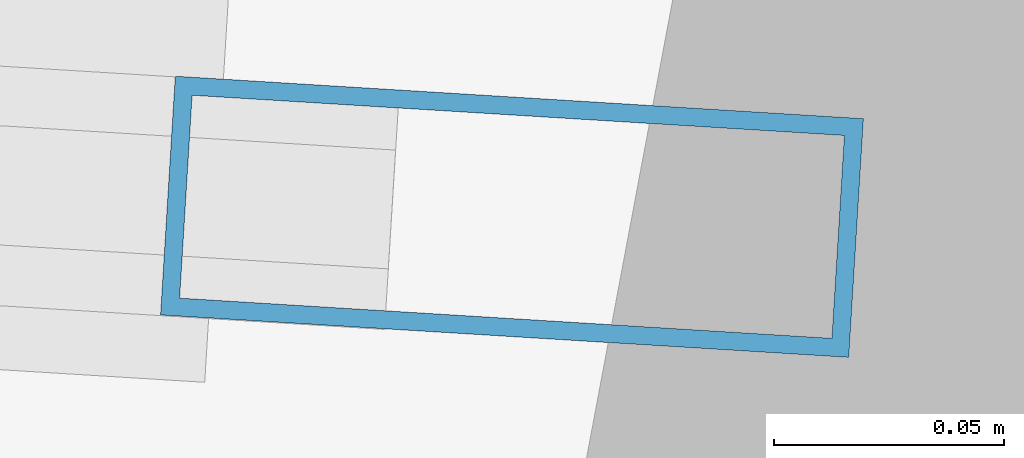
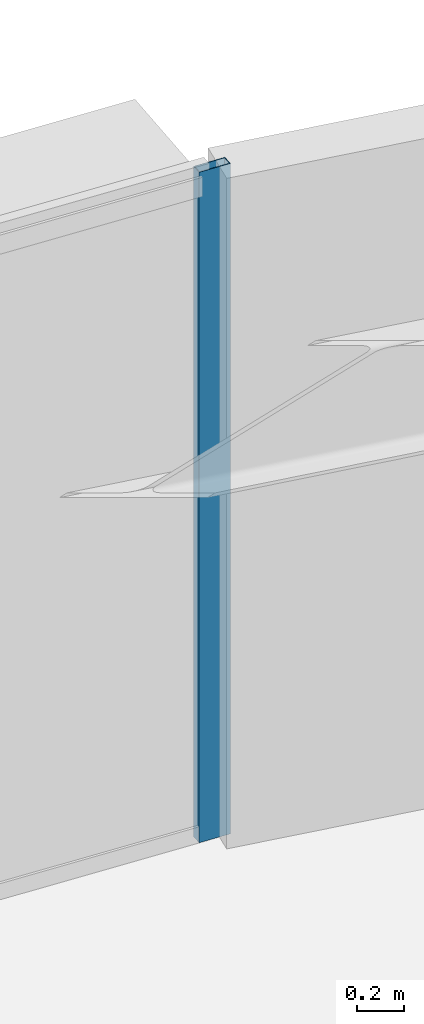
# One storey, part 6 of 21: 1 member, 1 element without a shape of its own.
"""IFC4 building model written with IfcOpenShell, lengths in metres."""

from ifc_helpers import new_model, si_unit, direction, frame, origin, origin_2d, place, context, subcontext, project, spatial, hollow_rectangle, extrude, source, transform, mapped, material, layer, layer_set, material_profile, profile_set, type_object, element, aggregate, save


model = new_model("IFC4")

# Units and contexts
model_context = context("Model", 3, precision=1e-05, world=origin(), true_north=direction((0.0, 1.0)))
body_context = subcontext(model_context, "Body", "Model", "MODEL_VIEW")
ifc_project = project(units=[si_unit("LENGTHUNIT", "METRE"), si_unit("AREAUNIT", "SQUARE_METRE"), si_unit("VOLUMEUNIT", "CUBIC_METRE"), si_unit("PLANEANGLEUNIT", "RADIAN"), si_unit("MASSUNIT", "GRAM", prefix="KILO")], contexts=[model_context])

# Site, building, storey
site_placement = place(None, origin())
site = spatial("IfcSite", under=ifc_project, at=site_placement, CompositionType="ELEMENT")
building_placement = place(site_placement, origin())
building = spatial("IfcBuilding", under=site, at=building_placement, Name="Linh Dai School and Residence Tower", CompositionType="ELEMENT")
storey_placement = place(building_placement, frame((0.0, 0.0, 115.949951171875)))
storey = spatial("IfcBuildingStorey", under=building, at=storey_placement, Name="L27", CompositionType="ELEMENT", Elevation=115.949951171875)

# Curtain wall, member
ifc_material_1 = material(Name="Aluminium Anodised Curtain Wall", Category="aluminium")
ifc_layer = layer(ifc_material_1, 0.14990234375)
ifc_layer_set = layer_set([ifc_layer], Name="Aluminium Anodised Curtain Wall")
curtain_wall_type = type_object("IfcCurtainWallType", Name="CW-SYS-4", PredefinedType="USERDEFINED", material=ifc_layer_set)
curtain_wall_placement = place(storey_placement, origin())
curtain_wall = element("IfcCurtainWall", 1, at=curtain_wall_placement, inside=storey, type_object=curtain_wall_type, Name="L27 CW4 Curtain Wall 10", ObjectType="RIBBON CURTAIN WALL", PredefinedType="USERDEFINED")
ifc_material_2 = material(Name="Aluminium Alloy 6063-T6", Category="aluminium")
ifc_material_profile = material_profile(ifc_material_2, hollow_rectangle(XDim=0.052001953125, YDim=0.14990234375, WallThickness=0.00390625, at=origin_2d()), Name="RHS 150x52x4")
ifc_profile_set = profile_set([ifc_material_profile], Name="Aluminium Alloy 6063-T6")
member_type = type_object("IfcMemberType", Name="CW-SYS-4-MUL", PredefinedType="MULLION", material=ifc_profile_set)
shared_shape = source(origin(), body_context, "Body", "SweptSolid", [
    extrude(hollow_rectangle(XDim=0.052001953125, YDim=0.14990234375, WallThickness=0.00390625, at=origin_2d()), origin(), (0.0, 0.0, 1.0), 3.5),
])
member_placement = place(storey_placement, frame((40.479736328125, 49.22900390625, 0.0), z_axis=(0.0, 0.0, 1.0), x_axis=(0.061509255091, 0.998106513123, 0.0)))
member = element("IfcMember", 2, at=member_placement, type_object=member_type, Name="CW4 mullion 3", PredefinedType="MULLION", context=body_context, shape_type="MappedRepresentation", body=[
    mapped(shared_shape, transform((0.0, 0.0, 0.0), x_axis=(1.0, 0.0, 0.0), y_axis=(0.0, 1.0, 0.0), z_axis=(0.0, 0.0, 1.0), scale=1.0)),
])
aggregate(curtain_wall, [member])

save(model, "model.ifc")
